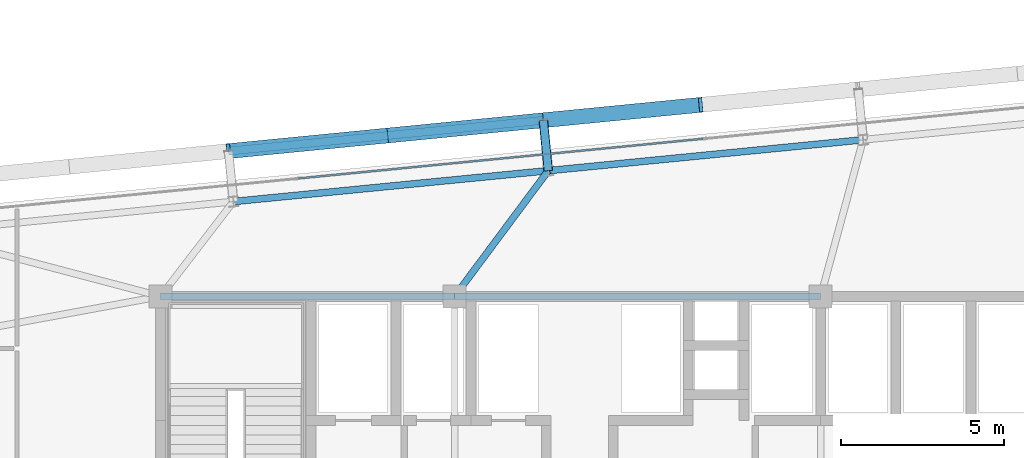
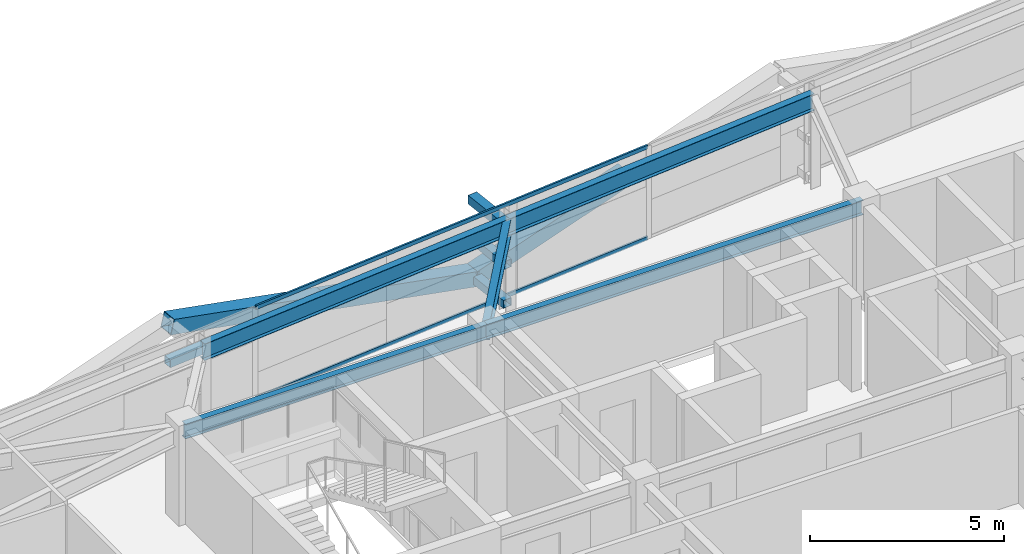
# One storey, part 26 of 47: 9 members, 5 beams, 1 element without a shape of its own.
"""IFC4 building model written with IfcOpenShell, lengths in metres."""

from ifc_helpers import new_model, si_unit, direction, frame, origin, origin_2d, place, context, subcontext, project, spatial, hollow_rectangle, i_section, extrude, source, transform, mapped, material, layer, layer_set, material_profile, profile_set, type_object, element, aggregate, save


model = new_model("IFC4")

# Units and contexts
model_context = context("Model", 3, precision=1e-05, world=origin(), true_north=direction((0.0, 1.0)))
body_context = subcontext(model_context, "Body", "Model", "MODEL_VIEW")
ifc_project = project(units=[si_unit("LENGTHUNIT", "METRE"), si_unit("AREAUNIT", "SQUARE_METRE"), si_unit("VOLUMEUNIT", "CUBIC_METRE"), si_unit("PLANEANGLEUNIT", "RADIAN"), si_unit("MASSUNIT", "GRAM", prefix="KILO")], contexts=[model_context])

# Site, building, storey
site_placement = place(None, origin())
site = spatial("IfcSite", under=ifc_project, at=site_placement, CompositionType="ELEMENT")
building_placement = place(site_placement, origin())
building = spatial("IfcBuilding", under=site, at=building_placement, Name="Taldren Reach Tower", CompositionType="ELEMENT")
storey_placement = place(building_placement, frame((0.0, 0.0, 106.050048828125)))
storey = spatial("IfcBuildingStorey", under=building, at=storey_placement, Name="L32", CompositionType="ELEMENT", Elevation=106.050048828125)

# Beams
ifc_material_1 = material(Name="Steel Gr 350 (350PLUS)", Category="steel")
ifc_material_profile_1 = material_profile(ifc_material_1, i_section(OverallWidth=0.19091796875, OverallDepth=0.4599609375, WebThickness=0.010009765625, FlangeThickness=0.01611328125, at=origin_2d()), Name="460UB82.1")
ifc_profile_set_1 = profile_set([ifc_material_profile_1], Name="Steel Gr 350 (350PLUS)")
beam_type_1 = type_object("IfcBeamType", Name="BM-UB460A", PredefinedType="BEAM", material=ifc_profile_set_1)
shared_shape_1 = source(origin(), body_context, "Body", "SweptSolid", [
    extrude(i_section(OverallWidth=0.19091796875, OverallDepth=0.4599609375, WebThickness=0.010009765625, FlangeThickness=0.01611328125, at=origin_2d()), origin(), (0.0, 0.0, 1.0), 9.0),
])
beam_1_placement = place(storey_placement, frame((19.0, 32.0, 2.699951171875), z_axis=(1.0, 0.0, 0.0), x_axis=(0.0, 1.0, 0.0)))
element("IfcBeam", 1, at=beam_1_placement, inside=storey, type_object=beam_type_1, Name="Core-spine girder L32-SP04", PredefinedType="BEAM", context=body_context, shape_type="MappedRepresentation", body=[
    mapped(shared_shape_1, transform((0.0, 0.0, 0.0), scale=1.0)),
])
shared_shape_2 = source(origin(), body_context, "Body", "SweptSolid", [
    extrude(i_section(OverallWidth=0.19091796875, OverallDepth=0.4599609375, WebThickness=0.010009765625, FlangeThickness=0.01611328125, at=origin_2d()), origin(), (0.0, 0.0, 1.0), 11.199951171875),
])
beam_2_placement = place(storey_placement, frame((28.0, 32.0, 2.699951171875), z_axis=(1.0, 0.0, 0.0), x_axis=(0.0, 1.0, 0.0)))
element("IfcBeam", 2, at=beam_2_placement, inside=storey, type_object=beam_type_1, Name="Core-spine girder L32-SP05", PredefinedType="BEAM", context=body_context, shape_type="MappedRepresentation", body=[
    mapped(shared_shape_2, transform((0.0, 0.0, 0.0), scale=1.0)),
])

# Members
ifc_material_2 = material(Name="Steel Gr 450 (C450L0)", Category="steel")
ifc_material_profile_2 = material_profile(ifc_material_2, hollow_rectangle(XDim=0.27490234375, YDim=0.27490234375, WallThickness=0.00927734375, at=origin_2d()), Name="275x275x9.3SHS")
ifc_profile_set_2 = profile_set([ifc_material_profile_2], Name="Steel Gr 450 (C450L0)")
member_type_1 = type_object("IfcMemberType", Name="MB-TIE273", PredefinedType="STRUT", material=ifc_profile_set_2)
shared_shape_3 = source(origin(), body_context, "Body", "SweptSolid", [
    extrude(hollow_rectangle(XDim=0.27490234375, YDim=0.27490234375, WallThickness=0.00927734375, at=origin_2d()), origin(), (0.0, 0.0, 1.0), 1.5498046875),
])
member_1_placement = place(storey_placement, frame((30.864501953125, 35.84619140625, 2.64990234375), z_axis=(-0.097663201064, 0.995219523099, 0.0), x_axis=(-0.995219523099, -0.097663201064, 0.0)))
element("IfcMember", 3, at=member_1_placement, inside=storey, type_object=member_type_1, Name="Exoskeleton diaphragm tie strut B2-N3 L32", PredefinedType="STRUT", context=body_context, shape_type="MappedRepresentation", body=[
    mapped(shared_shape_3, transform((0.0, 0.0, 0.0), scale=1.0)),
])
ifc_material_3 = material(Name="Steel Gr 350 (C350L0)", Category="steel")
ifc_material_profile_3 = material_profile(ifc_material_3, hollow_rectangle(XDim=0.25, YDim=0.25, WallThickness=0.010009765625, at=origin_2d()), Name="250x250x10.0SHS")
ifc_profile_set_3 = profile_set([ifc_material_profile_3], Name="Steel Gr 350 (C350L0)")
member_type_2 = type_object("IfcMemberType", Name="MB-POST250", PredefinedType="POST", material=ifc_profile_set_3)
shared_shape_4 = source(origin(), body_context, "Body", "SweptSolid", [
    extrude(hollow_rectangle(XDim=0.25, YDim=0.25, WallThickness=0.010009765625, at=origin_2d()), origin(), (0.0, 0.0, 1.0), 1.5498046875),
])
for number, where, z_axis, x_axis, name in (
    (4, (30.864501953125, 35.84619140625, 0.219970703125), (-0.097663201064, 0.995219523099, 0.0), (-0.995219523099, -0.097663201064, 0.0), "Exoskeleton base diaphragm tie strut B2-N3 L32"),
    (5, (30.864501953125, 35.84619140625, 1.43505859375), (-0.097663201064, 0.995219523099, 0.0), (-0.995219523099, -0.097663201064, 0.0), "Exoskeleton mid-tier diaphragm tie B2-N3 L32"),
):
    element("IfcMember", number, at=place(storey_placement, frame(where, z_axis=z_axis, x_axis=x_axis)), inside=storey, type_object=member_type_2, Name=name, PredefinedType="POST", context=body_context, shape_type="MappedRepresentation", body=[
        mapped(shared_shape_4, transform((0.0, 0.0, 0.0), scale=1.0)),
    ])

# Beams
ifc_material_profile_4 = material_profile(ifc_material_1, i_section(OverallWidth=0.208984375, OverallDepth=0.528076171875, WebThickness=0.009521484375, FlangeThickness=0.01318359375, at=origin_2d()), Name="530UB82.0")
ifc_profile_set_4 = profile_set([ifc_material_profile_4], Name="Steel Gr 350 (350PLUS)")
beam_type_2 = type_object("IfcBeamType", Name="SP-UB530B", PredefinedType="SPANDREL", material=ifc_profile_set_4)
shared_shape_5 = source(origin(), body_context, "Body", "SweptSolid", [
    extrude(i_section(OverallWidth=0.208984375, OverallDepth=0.528076171875, WebThickness=0.009521484375, FlangeThickness=0.01318359375, at=origin_2d()), origin(), (0.0, 0.0, 1.0), 9.679931640625),
])
for number, where, z_axis, x_axis, name in (
    (6, (40.498291015625, 36.790771484375, 2.666015625), (-0.995227612658, -0.097580730699, 0.0), (0.097580730699, -0.995227612658, 0.0), "Perimeter spandrel B2 N4-N3 L32"),
    (7, (30.864501953125, 35.84619140625, 2.666015625), (-0.995225162995, -0.097605711627, 0.0), (0.097605711627, -0.995225162995, 0.0), "Perimeter spandrel B2 N3-N2 L32"),
):
    element("IfcBeam", number, at=place(storey_placement, frame(where, z_axis=z_axis, x_axis=x_axis)), inside=storey, type_object=beam_type_2, Name=name, PredefinedType="SPANDREL", context=body_context, shape_type="MappedRepresentation", body=[
        mapped(shared_shape_5, transform((0.0, 0.0, 0.0), scale=1.0)),
    ])
ifc_material_profile_5 = material_profile(ifc_material_1, i_section(OverallWidth=0.208984375, OverallDepth=0.532958984375, WebThickness=0.01025390625, FlangeThickness=0.015625, at=origin_2d()), Name="530UB92.4")
ifc_profile_set_5 = profile_set([ifc_material_profile_5], Name="Steel Gr 350 (350PLUS)")
beam_type_3 = type_object("IfcBeamType", Name="BM-UB530A", PredefinedType="BEAM", material=ifc_profile_set_5)
shared_shape_6 = source(origin(), body_context, "Body", "SweptSolid", [
    extrude(i_section(OverallWidth=0.208984375, OverallDepth=0.532958984375, WebThickness=0.01025390625, FlangeThickness=0.015625, at=origin_2d()), origin(), (0.0, 0.0, 1.0), 4.795654296875),
])
beam_3_placement = place(storey_placement, frame((28.0, 32.0, 2.663330078125), z_axis=(0.59730864792, 0.802011458223, 0.0), x_axis=(-0.802011458223, 0.59730864792, 0.0)))
element("IfcBeam", 8, at=beam_3_placement, inside=storey, type_object=beam_type_3, Name="Primary floor girder B2-N3 L32", PredefinedType="BEAM", context=body_context, shape_type="MappedRepresentation", body=[
    mapped(shared_shape_6, transform((0.0, 0.0, 0.0), scale=1.0)),
])

# Members
ifc_material_profile_6 = material_profile(ifc_material_2, hollow_rectangle(XDim=0.4599609375, YDim=0.4599609375, WallThickness=0.01611328125, at=origin_2d()), Name="460x460x16.0SHS")
ifc_profile_set_6 = profile_set([ifc_material_profile_6], Name="Steel Gr 450 (C450L0)")
member_type_3 = type_object("IfcMemberType", Name="MB-EXO457", PredefinedType="BRACE", material=ifc_profile_set_6)
shared_shape_7 = source(origin(), body_context, "Body", "SweptSolid", [
    extrude(hollow_rectangle(XDim=0.4599609375, YDim=0.4599609375, WallThickness=0.01611328125, at=origin_2d()), origin(), (0.0, 0.0, 1.0), 4.990234375),
])
for number, where, z_axis, x_axis, name in (
    (9, (30.713134765625, 37.388671875, 0.219970703125), (-0.965275526283, -0.094619506732, 0.243496010862), (0.097555749586, -0.995230061706, 0.0), "Exoskeleton Diagrid Brace B2-N2 L32"),
    (10, (25.896240234375, 36.91650390625, 1.43505859375), (-0.965282554799, -0.094669120301, 0.243448859234), (0.097605711627, -0.995225162995, 0.0), "Exoskeleton Diagrid Brace B2-N2 L32"),
    (11, (30.713134765625, 37.388671875, 0.219970703125), (0.965271056716, 0.094667992638, 0.243494883389), (-0.097605711627, 0.995225162995, 0.0), "Exoskeleton Diagrid Brace B2-N3 L32"),
):
    element("IfcMember", number, at=place(storey_placement, frame(where, z_axis=z_axis, x_axis=x_axis)), inside=storey, type_object=member_type_3, Name=name, PredefinedType="BRACE", context=body_context, shape_type="MappedRepresentation", body=[
        mapped(shared_shape_7, transform((0.0, 0.0, 0.0), scale=1.0)),
    ])
shared_shape_8 = source(origin(), body_context, "Body", "SweptSolid", [
    extrude(hollow_rectangle(XDim=0.25, YDim=0.25, WallThickness=0.010009765625, at=origin_2d()), origin(), (0.0, 0.0, 1.0), 9.679931640625),
])
member_2_placement = place(storey_placement, frame((21.079345703125, 36.444091796875, 1.43505859375), z_axis=(0.995227612658, 0.097580730699, 0.0), x_axis=(-0.097580730699, 0.995227612658, 0.0)))
element("IfcMember", 12, at=member_2_placement, inside=storey, type_object=member_type_2, Name="Exoskeleton mid-height ring chord B2-N2 L32", PredefinedType="POST", context=body_context, shape_type="MappedRepresentation", body=[
    mapped(shared_shape_8, transform((0.0, 0.0, 0.0), scale=1.0)),
])

# Curtain wall, members
ifc_material_4 = material(Name="Aluminium and Low-E Glass Unitised System", Category="aluminium")
ifc_layer = layer(ifc_material_4, 0.159912109375)
ifc_layer_set = layer_set([ifc_layer], Name="Aluminium and Low-E Glass Unitised System")
curtain_wall_type = type_object("IfcCurtainWallType", Name="CW-SYS-3", PredefinedType="NOTDEFINED", material=ifc_layer_set)
curtain_wall_placement = place(storey_placement, origin())
curtain_wall = element("IfcCurtainWall", 13, at=curtain_wall_placement, inside=storey, type_object=curtain_wall_type, Name="Unitised curtain wall CW-L32-N", PredefinedType="NOTDEFINED")
ifc_material_5 = material(Name="Anodised Aluminium 6063-T6", Category="aluminium")
ifc_material_profile_7 = material_profile(ifc_material_5, hollow_rectangle(XDim=0.054931640625, YDim=0.1201171875, WallThickness=0.0029296875, at=origin_2d()), Name="ALU-120x55x3RHS")
ifc_profile_set_7 = profile_set([ifc_material_profile_7], Name="Anodised Aluminium 6063-T6")
member_type_4 = type_object("IfcMemberType", Name="CW-TRN-135", PredefinedType="USERDEFINED", material=ifc_profile_set_7)
shared_shape_9 = source(origin(), body_context, "Body", "SweptSolid", [
    extrude(hollow_rectangle(XDim=0.054931640625, YDim=0.1201171875, WallThickness=0.0029296875, at=origin_2d()), origin(), (0.0, 0.0, 1.0), 12.434814453125),
])
member_3_placement = place(storey_placement, frame((35.59912109375, 36.82275390625, 0.02734375), z_axis=(-0.995227777428, -0.097579050184, 0.0), x_axis=(0.097579050184, -0.995227777428, 0.0)))
member_3 = element("IfcMember", 14, at=member_3_placement, type_object=member_type_4, Name="CW-3 transom 3.1", ObjectType="TRANSOM", PredefinedType="USERDEFINED", context=body_context, shape_type="MappedRepresentation", body=[
    mapped(shared_shape_9, transform((0.0, 0.0, 0.0), scale=1.0)),
])
member_4_placement = place(storey_placement, frame((35.59912109375, 36.82275390625, 2.90234375), z_axis=(-0.995227777428, -0.097579050184, 0.0), x_axis=(0.097579050184, -0.995227777428, 0.0)))
member_4 = element("IfcMember", 15, at=member_4_placement, type_object=member_type_4, Name="CW-3 transom 3.2", ObjectType="TRANSOM", PredefinedType="USERDEFINED", context=body_context, shape_type="MappedRepresentation", body=[
    mapped(shared_shape_9, transform((0.0, 0.0, 0.0), scale=1.0)),
])
aggregate(curtain_wall, [member_3, member_4])

save(model, "model.ifc")
